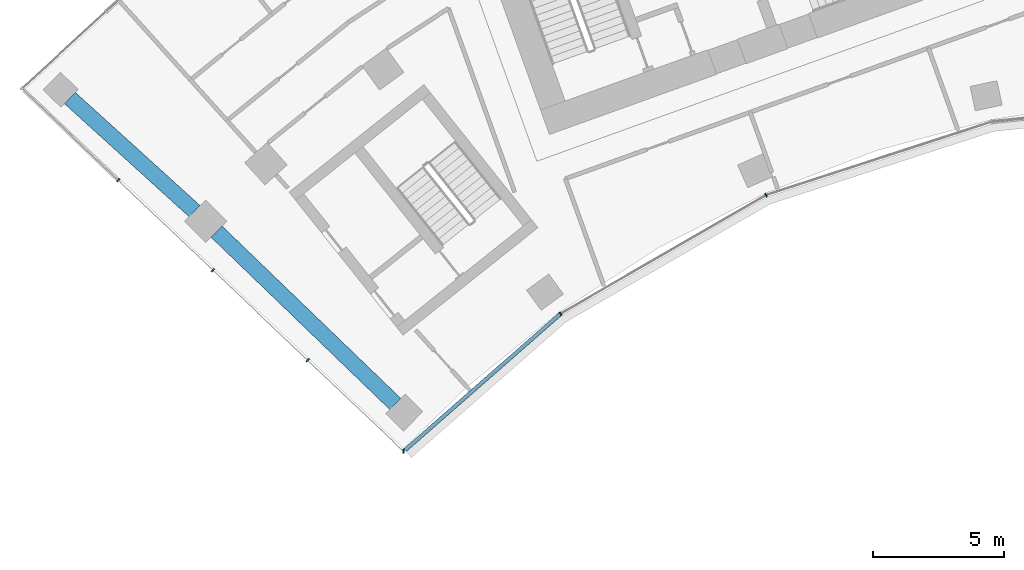
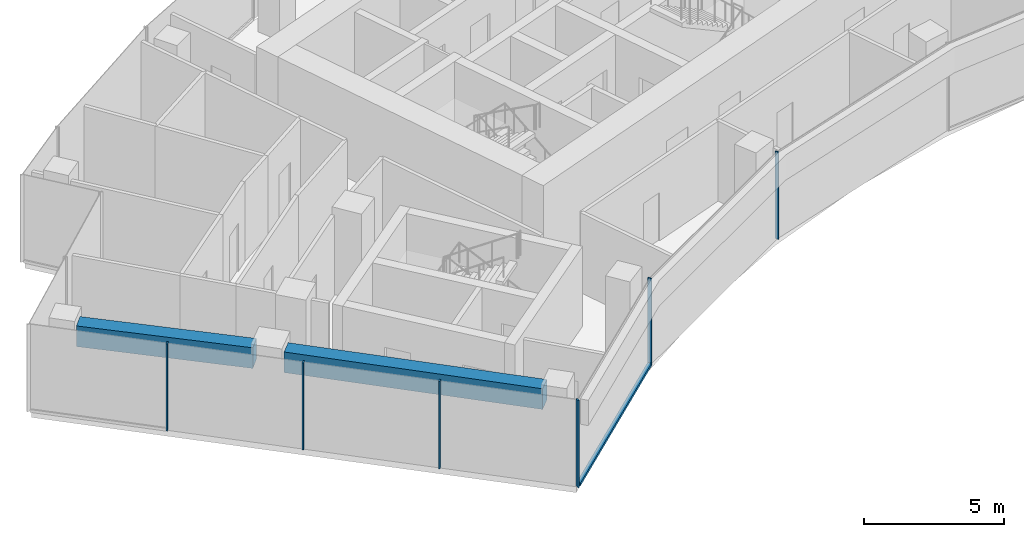
# One storey, part 2 of 19: 7 members, 2 beams, 2 elements without a shape of their own.
"""IFC4 building model written with IfcOpenShell, lengths in metres."""

from ifc_helpers import new_model, si_unit, direction, frame, origin, origin_2d, place, context, subcontext, project, spatial, rectangle, extrude, material, layer, layer_set, material_profile, profile_set, type_object, element, aggregate, save


model = new_model("IFC4")

# Units and contexts
model_context = context("Model", 3, precision=1e-05, world=origin(), true_north=direction((0.0, 1.0)))
body_context = subcontext(model_context, "Body", "Model", "MODEL_VIEW")
ifc_project = project(units=[si_unit("LENGTHUNIT", "METRE"), si_unit("AREAUNIT", "SQUARE_METRE"), si_unit("VOLUMEUNIT", "CUBIC_METRE"), si_unit("PLANEANGLEUNIT", "RADIAN"), si_unit("MASSUNIT", "GRAM", prefix="KILO")], contexts=[model_context])

# Site, building, storey
site_placement = place(None, origin())
site = spatial("IfcSite", under=ifc_project, at=site_placement, CompositionType="ELEMENT")
building_placement = place(site_placement, origin())
building = spatial("IfcBuilding", under=site, at=building_placement, Name="Stone Belt Terrace Tower", CompositionType="ELEMENT")
storey_placement = place(building_placement, frame((0.0, 0.0, 204.800048828125)))
storey = spatial("IfcBuildingStorey", under=building, at=storey_placement, Name="L49", CompositionType="ELEMENT", Elevation=204.800048828125)

# Curtain wall, members
ifc_material_1 = material(Name="Aluminium 6063-T6 anodised frame", Category="aluminium")
ifc_layer_1 = layer(ifc_material_1, 0.14990234375)
ifc_layer_set_1 = layer_set([ifc_layer_1], Name="CW-B unitised concave-face curtain wall")
curtain_wall_type_1 = type_object("IfcCurtainWallType", Name="CW-B unitised concave-face curtain wall", PredefinedType="NOTDEFINED", material=ifc_layer_set_1)
curtain_wall_1_placement = place(storey_placement, origin())
curtain_wall_1 = element("IfcCurtainWall", 1, at=curtain_wall_1_placement, inside=storey, type_object=curtain_wall_type_1, Name="CW-B concave face L49", PredefinedType="NOTDEFINED")
ifc_material_profile_1 = material_profile(ifc_material_1, rectangle(XDim=0.14990234375, YDim=0.050048828125, at=origin_2d()), Name="Aluminium 6063-T6 50x150")
ifc_profile_set_1 = profile_set([ifc_material_profile_1], Name="Aluminium 6063-T6 anodised frame")
member_type_1 = type_object("IfcMemberType", Name="CW-B mullion 50 x 150", PredefinedType="MULLION", material=ifc_profile_set_1)
member_1_placement = place(storey_placement, frame((-31.535888671875, 29.863037109375, 0.0), z_axis=(0.0, 0.0, 1.0), x_axis=(0.020135351708, 0.999797263255, 0.0)))
member_1 = element("IfcMember", 2, at=member_1_placement, type_object=member_type_1, Name="CW-B mullion 1", PredefinedType="MULLION", context=body_context, shape_type="SweptSolid", body=[
    extrude(rectangle(XDim=0.14990234375, YDim=0.050048828125, at=origin_2d()), origin(), (0.0, 0.0, 1.0), 3.800048828125),
])
member_2_placement = place(storey_placement, frame((-25.524658203125, 35.130859375, 0.0), z_axis=(0.0, 0.0, 1.0), x_axis=(-0.582341737817, 0.812944094263, 0.0)))
member_2 = element("IfcMember", 3, at=member_2_placement, type_object=member_type_1, Name="CW-B mullion 2", PredefinedType="MULLION", context=body_context, shape_type="SweptSolid", body=[
    extrude(rectangle(XDim=0.14990234375, YDim=0.050048828125, at=origin_2d()), origin(), (0.0, 0.0, 1.0), 3.800048828125),
])
member_3_placement = place(storey_placement, frame((-17.662353515625, 39.67041015625, 0.0), z_axis=(0.0, 0.0, 1.0), x_axis=(-0.406736643076, 0.913545457643, 0.0)))
member_3 = element("IfcMember", 4, at=member_3_placement, type_object=member_type_1, Name="CW-B mullion 3", PredefinedType="MULLION", context=body_context, shape_type="SweptSolid", body=[
    extrude(rectangle(XDim=0.14990234375, YDim=0.050048828125, at=origin_2d()), origin(), (0.0, 0.0, 1.0), 3.800048828125),
])
ifc_material_profile_2 = material_profile(ifc_material_1, rectangle(XDim=0.14990234375, YDim=0.1201171875, at=origin_2d()), Name="Aluminium 6063-T6 150x120")
ifc_profile_set_2 = profile_set([ifc_material_profile_2], Name="Aluminium 6063-T6 anodised frame")
member_type_2 = type_object("IfcMemberType", Name="CW-B transom 120 x 150", PredefinedType="USERDEFINED", material=ifc_profile_set_2)
member_4_placement = place(storey_placement, frame((-31.48388671875, 29.908447265625, 0.06005859375), z_axis=(0.752060929485, 0.659093588455, 0.0), x_axis=(-0.659093588455, 0.752060929485, 0.0)))
member_4 = element("IfcMember", 5, at=member_4_placement, type_object=member_type_2, Name="CW-B transom 1.1", ObjectType="TRANSOM", PredefinedType="USERDEFINED", context=body_context, shape_type="SweptSolid", body=[
    extrude(rectangle(XDim=0.14990234375, YDim=0.1201171875, at=origin_2d()), origin(), (0.0, 0.0, 1.0), 7.891357421875),
])
aggregate(curtain_wall_1, [member_1, member_2, member_3, member_4])

ifc_layer_2 = layer(ifc_material_1, 0.14990234375)
ifc_layer_set_2 = layer_set([ifc_layer_2], Name="CW-C stick curtain wall, horn ends and notches")
curtain_wall_type_2 = type_object("IfcCurtainWallType", Name="CW-C stick curtain wall, horn ends and notches", PredefinedType="NOTDEFINED", material=ifc_layer_set_2)
curtain_wall_2_placement = place(storey_placement, origin())
curtain_wall_2 = element("IfcCurtainWall", 6, at=curtain_wall_2_placement, inside=storey, type_object=curtain_wall_type_2, Name="CW-C end face L49", PredefinedType="NOTDEFINED")
ifc_material_profile_3 = material_profile(ifc_material_1, rectangle(XDim=0.14990234375, YDim=0.06005859375, at=origin_2d()), Name="Aluminium 6063-T6 60x150")
ifc_profile_set_3 = profile_set([ifc_material_profile_3], Name="Aluminium 6063-T6 anodised frame")
member_type_3 = type_object("IfcMemberType", Name="CW-C mullion 60 x 150", PredefinedType="MULLION", material=ifc_profile_set_3)
member_5_placement = place(storey_placement, frame((-42.459228515625, 40.24267578125, 0.0), z_axis=(0.0, 0.0, 1.0), x_axis=(0.688839705238, 0.72491369175, 0.0)))
member_5 = element("IfcMember", 7, at=member_5_placement, type_object=member_type_3, Name="CW-C mullion 2", PredefinedType="MULLION", context=body_context, shape_type="SweptSolid", body=[
    extrude(rectangle(XDim=0.14990234375, YDim=0.06005859375, at=origin_2d()), origin(), (0.0, 0.0, 1.0), 3.800048828125),
])
member_6_placement = place(storey_placement, frame((-38.83447265625, 36.798583984375, 0.0), z_axis=(0.0, 0.0, 1.0), x_axis=(0.688839705238, 0.72491369175, 0.0)))
member_6 = element("IfcMember", 8, at=member_6_placement, type_object=member_type_3, Name="CW-C mullion 3", PredefinedType="MULLION", context=body_context, shape_type="SweptSolid", body=[
    extrude(rectangle(XDim=0.14990234375, YDim=0.06005859375, at=origin_2d()), origin(), (0.0, 0.0, 1.0), 3.800048828125),
])
member_7_placement = place(storey_placement, frame((-35.2099609375, 33.354248046875, 0.0), z_axis=(0.0, 0.0, 1.0), x_axis=(0.688839705238, 0.72491369175, 0.0)))
member_7 = element("IfcMember", 9, at=member_7_placement, type_object=member_type_3, Name="CW-C mullion 4", PredefinedType="MULLION", context=body_context, shape_type="SweptSolid", body=[
    extrude(rectangle(XDim=0.14990234375, YDim=0.06005859375, at=origin_2d()), origin(), (0.0, 0.0, 1.0), 3.800048828125),
])
aggregate(curtain_wall_2, [member_5, member_6, member_7])

# Beams
ifc_material_2 = material(Name="Concrete B60", Category="concrete")
ifc_material_profile_4 = material_profile(ifc_material_2, rectangle(XDim=0.60009765625, YDim=0.89990234375, at=origin_2d()), Name="RC 600x900")
ifc_profile_set_4 = profile_set([ifc_material_profile_4], Name="Concrete B60")
beam_type = type_object("IfcBeamType", Name="Edge beam RC 600x900 B60", PredefinedType="SPANDREL", material=ifc_profile_set_4)
beam_1_placement = place(storey_placement, frame((-31.849853515625, 31.676513671875, 3.030029296875), z_axis=(-0.720008357079, 0.693965392319, 0.0), x_axis=(-0.693965392319, -0.720008357079, 0.0)))
element("IfcBeam", 10, at=beam_1_placement, inside=storey, type_object=beam_type, Name="Edge beam L49 A P to Q", PredefinedType="SPANDREL", context=body_context, shape_type="SweptSolid", body=[
    extrude(rectangle(XDim=0.60009765625, YDim=0.89990234375, at=origin_2d()), origin(), (0.0, 0.0, 1.0), 9.505859375),
])
beam_2_placement = place(storey_placement, frame((-39.534423828125, 39.05908203125, 3.030029296875), z_axis=(-0.740813729974, 0.671710516132, 0.0), x_axis=(-0.671710516132, -0.740813729974, 0.0)))
element("IfcBeam", 11, at=beam_2_placement, inside=storey, type_object=beam_type, Name="Edge beam L49 A Q to R", PredefinedType="SPANDREL", context=body_context, shape_type="SweptSolid", body=[
    extrude(rectangle(XDim=0.60009765625, YDim=0.89990234375, at=origin_2d()), origin(), (0.0, 0.0, 1.0), 6.444091796875),
])

save(model, "model.ifc")
